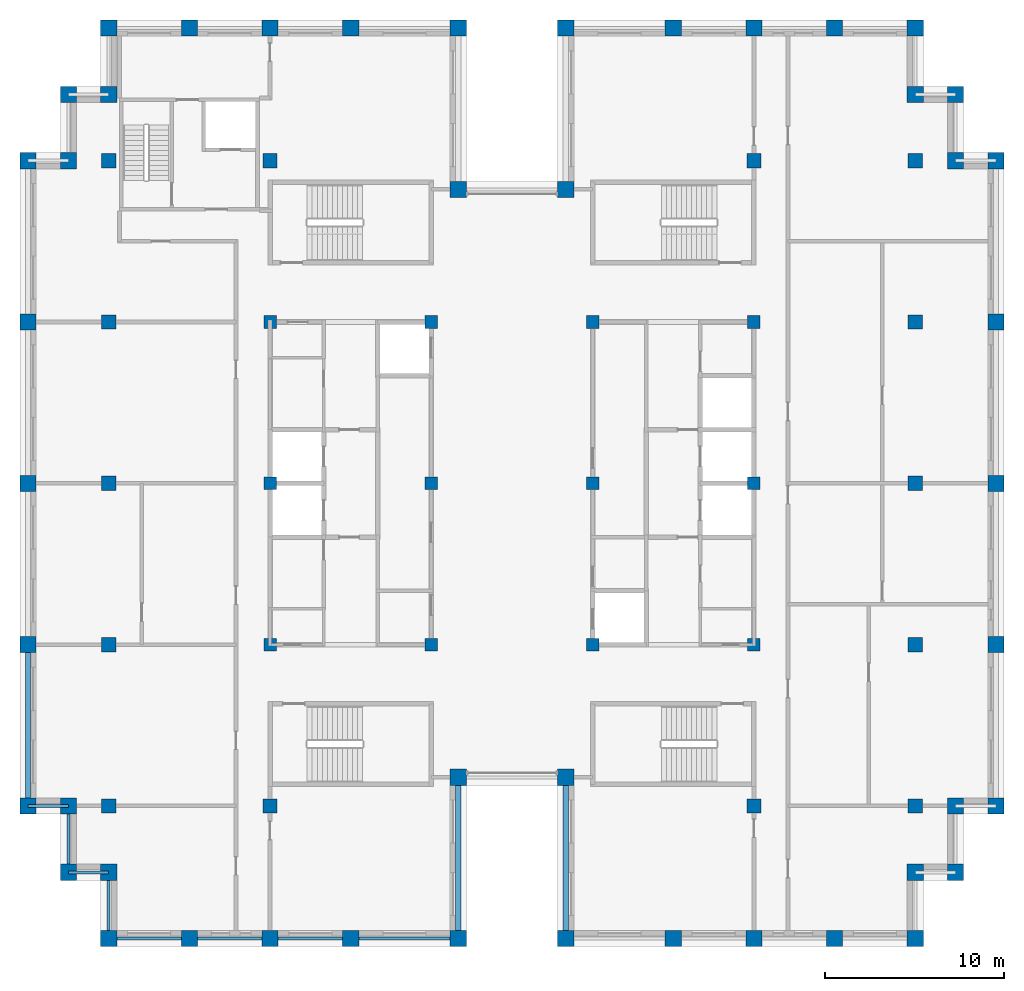
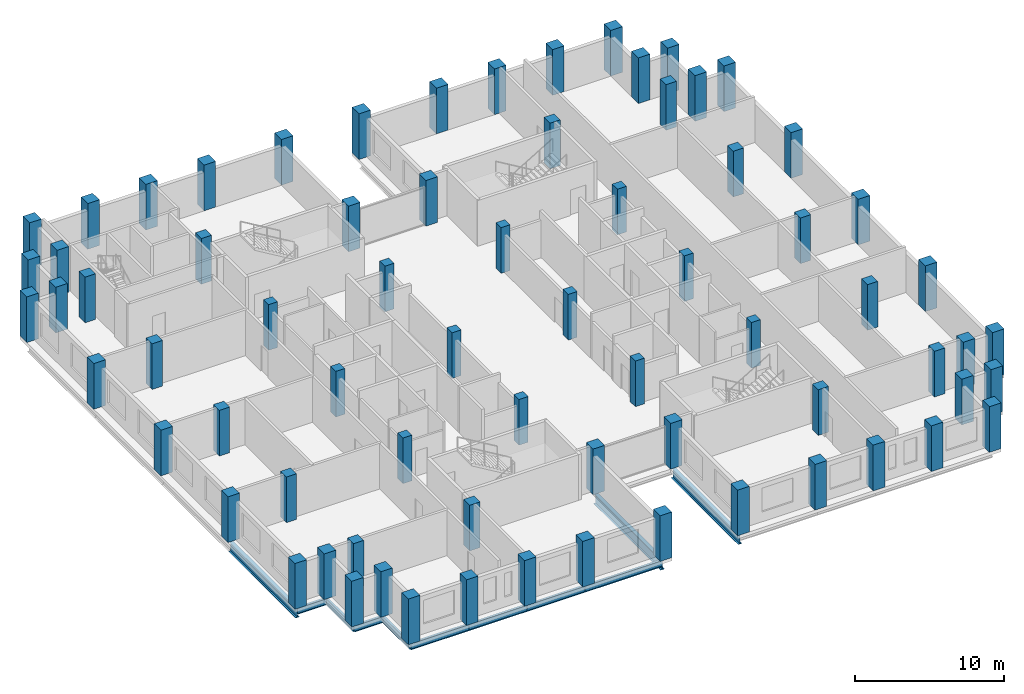
# One storey, part 1 of 13: 72 columns, 11 beams.
"""IFC4 building model written with IfcOpenShell, lengths in metres."""

from ifc_helpers import new_model, si_unit, direction, frame, origin, origin_2d, place, context, subcontext, project, spatial, rectangle, i_section, extrude, material, material_profile, profile_set, type_object, element, save


model = new_model("IFC4")

# Units and contexts
model_context = context("Model", 3, precision=1e-05, world=origin(), true_north=direction((0.0, 1.0)))
body_context = subcontext(model_context, "Body", "Model", "MODEL_VIEW")
ifc_project = project(units=[si_unit("LENGTHUNIT", "METRE"), si_unit("AREAUNIT", "SQUARE_METRE"), si_unit("VOLUMEUNIT", "CUBIC_METRE"), si_unit("PLANEANGLEUNIT", "RADIAN"), si_unit("MASSUNIT", "GRAM", prefix="KILO")], contexts=[model_context])

# Site, building, storey
site_placement = place(None, origin())
site = spatial("IfcSite", under=ifc_project, at=site_placement, CompositionType="ELEMENT")
building_placement = place(site_placement, origin())
building = spatial("IfcBuilding", under=site, at=building_placement, Name="Corbelhall Arena Tower", CompositionType="ELEMENT")
storey_placement = place(building_placement, frame((0.0, 0.0, 334.0)))
storey = spatial("IfcBuildingStorey", under=building, at=storey_placement, Name="L73", CompositionType="ELEMENT", Elevation=334.0)

# Columns
ifc_material_1 = material(Name="Concrete C80/95", Category="concrete")
ifc_material_profile_1 = material_profile(ifc_material_1, rectangle(XDim=0.699951171875, YDim=0.699951171875, at=origin_2d()))
ifc_profile_set_1 = profile_set([ifc_material_profile_1], Name="Concrete C80/95")
column_type_1 = type_object("IfcColumnType", Name="ST-COL-RC 700x700", PredefinedType="COLUMN", material=ifc_profile_set_1)
for number, where, z_axis, x_axis, name in (
    (1, (4.5, 0.0, 0.0), (0.0, 0.0, 1.0), (1.0, 0.0, 0.0), "Column KE+0450+0000"),
    (2, (4.5, 9.0, 0.0), (0.0, 0.0, 1.0), (1.0, 0.0, 0.0), "Column KE+0450+0900"),
    (3, (4.5, -9.0, 0.0), (0.0, 0.0, 1.0), (1.0, 0.0, 0.0), "Column KE+0450-0900"),
    (4, (13.5, 0.0, 0.0), (0.0, 0.0, 1.0), (1.0, 0.0, 0.0), "Column KE+1350+0000"),
    (5, (13.5, 9.0, 0.0), (0.0, 0.0, 1.0), (1.0, 0.0, 0.0), "Column KE+1350+0900"),
    (6, (13.5, -9.0, 0.0), (0.0, 0.0, 1.0), (1.0, 0.0, 0.0), "Column KE+1350-0900"),
    (7, (-4.5, 0.0, 0.0), (0.0, 0.0, 1.0), (1.0, 0.0, 0.0), "Column KW-0450+0000"),
    (8, (-4.5, 9.0, 0.0), (0.0, 0.0, 1.0), (1.0, 0.0, 0.0), "Column KW-0450+0900"),
    (9, (-4.5, -9.0, 0.0), (0.0, 0.0, 1.0), (1.0, 0.0, 0.0), "Column KW-0450-0900"),
    (10, (-13.5, 0.0, 0.0), (0.0, 0.0, 1.0), (1.0, 0.0, 0.0), "Column KW-1350+0000"),
    (11, (-13.5, 9.0, 0.0), (0.0, 0.0, 1.0), (1.0, 0.0, 0.0), "Column KW-1350+0900"),
    (12, (-13.5, -9.0, 0.0), (0.0, 0.0, 1.0), (1.0, 0.0, 0.0), "Column KW-1350-0900"),
):
    element("IfcColumn", number, at=place(storey_placement, frame(where, z_axis=z_axis, x_axis=x_axis)), inside=storey, type_object=column_type_1, Name=name, PredefinedType="COLUMN", context=body_context, shape_type="SweptSolid", body=[
        extrude(rectangle(XDim=0.699951171875, YDim=0.699951171875, at=origin_2d()), origin(), (0.0, 0.0, 1.0), 3.739990234375),
    ])
ifc_material_profile_2 = material_profile(ifc_material_1, rectangle(XDim=0.800048828125, YDim=0.800048828125, at=origin_2d()))
ifc_profile_set_2 = profile_set([ifc_material_profile_2], Name="Concrete C80/95")
column_type_2 = type_object("IfcColumnType", Name="ST-COL-RC 800x800", PredefinedType="COLUMN", material=ifc_profile_set_2)
for number, where, z_axis, x_axis, name in (
    (13, (13.5, 18.0, 0.0), (0.0, 0.0, 1.0), (1.0, 0.0, 0.0), "Column IE13+1800"),
    (14, (13.5, -18.0, 0.0), (0.0, 0.0, 1.0), (1.0, 0.0, 0.0), "Column IE13-1800"),
    (15, (22.5, 0.0, 0.0), (0.0, 0.0, 1.0), (1.0, 0.0, 0.0), "Column IE22+0000"),
    (16, (22.5, 9.0, 0.0), (0.0, 0.0, 1.0), (1.0, 0.0, 0.0), "Column IE22+0900"),
    (17, (22.5, 18.0, 0.0), (0.0, 0.0, 1.0), (1.0, 0.0, 0.0), "Column IE22+1800"),
    (18, (22.5, -9.0, 0.0), (0.0, 0.0, 1.0), (1.0, 0.0, 0.0), "Column IE22-0900"),
    (19, (22.5, -18.0, 0.0), (0.0, 0.0, 1.0), (1.0, 0.0, 0.0), "Column IE22-1800"),
    (20, (-13.5, 18.0, 0.0), (0.0, 0.0, 1.0), (1.0, 0.0, 0.0), "Column IW13+1800"),
    (21, (-13.5, -18.0, 0.0), (0.0, 0.0, 1.0), (1.0, 0.0, 0.0), "Column IW13-1800"),
    (22, (-22.5, 0.0, 0.0), (0.0, 0.0, 1.0), (1.0, 0.0, 0.0), "Column IW22+0000"),
    (23, (-22.5, 9.0, 0.0), (0.0, 0.0, 1.0), (1.0, 0.0, 0.0), "Column IW22+0900"),
    (24, (-22.5, 18.0, 0.0), (0.0, 0.0, 1.0), (1.0, 0.0, 0.0), "Column IW22+1800"),
    (25, (-22.5, -9.0, 0.0), (0.0, 0.0, 1.0), (1.0, 0.0, 0.0), "Column IW22-0900"),
    (26, (-22.5, -18.0, 0.0), (0.0, 0.0, 1.0), (1.0, 0.0, 0.0), "Column IW22-1800"),
):
    element("IfcColumn", number, at=place(storey_placement, frame(where, z_axis=z_axis, x_axis=x_axis)), inside=storey, type_object=column_type_2, Name=name, PredefinedType="COLUMN", context=body_context, shape_type="SweptSolid", body=[
        extrude(rectangle(XDim=0.800048828125, YDim=0.800048828125, at=origin_2d()), origin(), (0.0, 0.0, 1.0), 3.739990234375),
    ])
ifc_material_profile_3 = material_profile(ifc_material_1, rectangle(XDim=0.89990234375, YDim=0.89990234375, at=origin_2d()))
ifc_profile_set_3 = profile_set([ifc_material_profile_3], Name="Concrete C80/95")
column_type_3 = type_object("IfcColumnType", Name="ST-COL-RC 900x900", PredefinedType="COLUMN", material=ifc_profile_set_3)
for number, where, z_axis, x_axis, name in (
    (27, (27.0, 0.0, 0.0), (0.0, 0.0, 1.0), (0.0, 1.0, 0.0), "Column PE+0000"),
    (28, (27.0, 9.0, 0.0), (0.0, 0.0, 1.0), (0.0, 1.0, 0.0), "Column PE+0900"),
    (29, (27.0, 18.0, 0.0), (0.0, 0.0, 1.0), (0.0, 1.0, 0.0), "Column PE+1800"),
    (30, (27.0, -9.0, 0.0), (0.0, 0.0, 1.0), (0.0, 1.0, 0.0), "Column PE-0900"),
    (31, (27.0, -18.0, 0.0), (0.0, 0.0, 1.0), (0.0, 1.0, 0.0), "Column PE-1800"),
    (32, (3.0, 25.39990234375, 0.0), (0.0, 0.0, 1.0), (1.0, 0.0, 0.0), "Column PNE0300"),
    (33, (9.0, 25.39990234375, 0.0), (0.0, 0.0, 1.0), (1.0, 0.0, 0.0), "Column PNE0900"),
    (34, (13.5, 25.39990234375, 0.0), (0.0, 0.0, 1.0), (1.0, 0.0, 0.0), "Column PNE1350"),
    (35, (18.0, 25.39990234375, 0.0), (0.0, 0.0, 1.0), (1.0, 0.0, 0.0), "Column PNE1800"),
    (36, (22.5, 25.39990234375, 0.0), (0.0, 0.0, 1.0), (1.0, 0.0, 0.0), "Column PNE2250"),
    (37, (-3.0, 25.39990234375, 0.0), (0.0, 0.0, 1.0), (1.0, 0.0, 0.0), "Column PNW0300"),
    (38, (-9.0, 25.39990234375, 0.0), (0.0, 0.0, 1.0), (1.0, 0.0, 0.0), "Column PNW0900"),
    (39, (-13.5, 25.39990234375, 0.0), (0.0, 0.0, 1.0), (1.0, 0.0, 0.0), "Column PNW1350"),
    (40, (-18.0, 25.39990234375, 0.0), (0.0, 0.0, 1.0), (1.0, 0.0, 0.0), "Column PNW1800"),
    (41, (-22.5, 25.39990234375, 0.0), (0.0, 0.0, 1.0), (1.0, 0.0, 0.0), "Column PNW2250"),
    (42, (3.0, -25.39990234375, 0.0), (0.0, 0.0, 1.0), (1.0, 0.0, 0.0), "Column PSE0300"),
    (43, (9.0, -25.39990234375, 0.0), (0.0, 0.0, 1.0), (1.0, 0.0, 0.0), "Column PSE0900"),
    (44, (13.5, -25.39990234375, 0.0), (0.0, 0.0, 1.0), (1.0, 0.0, 0.0), "Column PSE1350"),
    (45, (18.0, -25.39990234375, 0.0), (0.0, 0.0, 1.0), (1.0, 0.0, 0.0), "Column PSE1800"),
    (46, (22.5, -25.39990234375, 0.0), (0.0, 0.0, 1.0), (1.0, 0.0, 0.0), "Column PSE2250"),
    (47, (-3.0, -25.39990234375, 0.0), (0.0, 0.0, 1.0), (1.0, 0.0, 0.0), "Column PSW0300"),
    (48, (-9.0, -25.39990234375, 0.0), (0.0, 0.0, 1.0), (1.0, 0.0, 0.0), "Column PSW0900"),
    (49, (-13.5, -25.39990234375, 0.0), (0.0, 0.0, 1.0), (1.0, 0.0, 0.0), "Column PSW1350"),
    (50, (-18.0, -25.39990234375, 0.0), (0.0, 0.0, 1.0), (1.0, 0.0, 0.0), "Column PSW1800"),
    (51, (-22.5, -25.39990234375, 0.0), (0.0, 0.0, 1.0), (1.0, 0.0, 0.0), "Column PSW2250"),
    (52, (-27.0, 0.0, 0.0), (0.0, 0.0, 1.0), (0.0, 1.0, 0.0), "Column PW+0000"),
    (53, (-27.0, 9.0, 0.0), (0.0, 0.0, 1.0), (0.0, 1.0, 0.0), "Column PW+0900"),
    (54, (-27.0, 18.0, 0.0), (0.0, 0.0, 1.0), (0.0, 1.0, 0.0), "Column PW+1800"),
    (55, (-27.0, -9.0, 0.0), (0.0, 0.0, 1.0), (0.0, 1.0, 0.0), "Column PW-0900"),
    (56, (-27.0, -18.0, 0.0), (0.0, 0.0, 1.0), (0.0, 1.0, 0.0), "Column PW-1800"),
    (57, (3.0, 16.39990234375, 0.0), (0.0, 0.0, 1.0), (1.0, 0.0, 0.0), "Column SLNE2"),
    (58, (-3.0, 16.39990234375, 0.0), (0.0, 0.0, 1.0), (1.0, 0.0, 0.0), "Column SLNW2"),
    (59, (3.0, -16.39990234375, 0.0), (0.0, 0.0, 1.0), (1.0, 0.0, 0.0), "Column SLSE2"),
    (60, (-3.0, -16.39990234375, 0.0), (0.0, 0.0, 1.0), (1.0, 0.0, 0.0), "Column SLSW2"),
    (61, (22.5, 21.699951171875, 0.0), (0.0, 0.0, 1.0), (1.0, 0.0, 0.0), "Column XNE1"),
    (62, (24.75, 21.699951171875, 0.0), (0.0, 0.0, 1.0), (1.0, 0.0, 0.0), "Column XNE2"),
    (63, (24.75, 18.0, 0.0), (0.0, 0.0, 1.0), (1.0, 0.0, 0.0), "Column XNE3"),
    (64, (-22.5, 21.699951171875, 0.0), (0.0, 0.0, 1.0), (1.0, 0.0, 0.0), "Column XNW1"),
    (65, (-24.75, 21.699951171875, 0.0), (0.0, 0.0, 1.0), (1.0, 0.0, 0.0), "Column XNW2"),
    (66, (-24.75, 18.0, 0.0), (0.0, 0.0, 1.0), (1.0, 0.0, 0.0), "Column XNW3"),
    (67, (22.5, -21.699951171875, 0.0), (0.0, 0.0, 1.0), (1.0, 0.0, 0.0), "Column XSE1"),
    (68, (24.75, -21.699951171875, 0.0), (0.0, 0.0, 1.0), (1.0, 0.0, 0.0), "Column XSE2"),
    (69, (24.75, -18.0, 0.0), (0.0, 0.0, 1.0), (1.0, 0.0, 0.0), "Column XSE3"),
    (70, (-22.5, -21.699951171875, 0.0), (0.0, 0.0, 1.0), (1.0, 0.0, 0.0), "Column XSW1"),
    (71, (-24.75, -21.699951171875, 0.0), (0.0, 0.0, 1.0), (1.0, 0.0, 0.0), "Column XSW2"),
    (72, (-24.75, -18.0, 0.0), (0.0, 0.0, 1.0), (1.0, 0.0, 0.0), "Column XSW3"),
):
    element("IfcColumn", number, at=place(storey_placement, frame(where, z_axis=z_axis, x_axis=x_axis)), inside=storey, type_object=column_type_3, Name=name, PredefinedType="COLUMN", context=body_context, shape_type="SweptSolid", body=[
        extrude(rectangle(XDim=0.89990234375, YDim=0.89990234375, at=origin_2d()), origin(), (0.0, 0.0, 1.0), 3.739990234375),
    ])

# Beams
ifc_material_2 = material(Name="Steel ASTM A992 Gr50", Category="steel")
ifc_material_profile_4 = material_profile(ifc_material_2, i_section(OverallWidth=0.16650390625, OverallDepth=0.535888671875, WebThickness=0.01025390625, FlangeThickness=0.0166015625, at=origin_2d()))
ifc_profile_set_4 = profile_set([ifc_material_profile_4], Name="Steel ASTM A992 Gr50")
beam_type_1 = type_object("IfcBeamType", Name="ST-SPANDREL-W21x57", PredefinedType="SPANDREL", material=ifc_profile_set_4)
beam_1_placement = place(storey_placement, frame((-3.0, -25.39990234375, -0.528076171875), z_axis=(-1.0, 0.0, 0.0), x_axis=(0.0, -1.0, 0.0)))
element("IfcBeam", 73, at=beam_1_placement, inside=storey, type_object=beam_type_1, Name="Beam SP 21", PredefinedType="SPANDREL", context=body_context, shape_type="SweptSolid", body=[
    extrude(i_section(OverallWidth=0.16650390625, OverallDepth=0.535888671875, WebThickness=0.01025390625, FlangeThickness=0.0166015625, at=origin_2d()), origin(), (0.0, 0.0, 1.0), 6.0),
])
for number, where, z_axis, x_axis, name in (
    (74, (-9.0, -25.39990234375, -0.528076171875), (-1.0, 0.0, 0.0), (0.0, -1.0, 0.0), "Beam SP 22"),
    (75, (-13.5, -25.39990234375, -0.528076171875), (-1.0, 0.0, 0.0), (0.0, -1.0, 0.0), "Beam SP 23"),
    (76, (-18.0, -25.39990234375, -0.528076171875), (-1.0, 0.0, 0.0), (0.0, -1.0, 0.0), "Beam SP 24"),
):
    element("IfcBeam", number, at=place(storey_placement, frame(where, z_axis=z_axis, x_axis=x_axis)), inside=storey, type_object=beam_type_1, Name=name, PredefinedType="SPANDREL", context=body_context, shape_type="SweptSolid", body=[
        extrude(i_section(OverallWidth=0.16650390625, OverallDepth=0.535888671875, WebThickness=0.01025390625, FlangeThickness=0.0166015625, at=origin_2d()), origin(), (0.0, 0.0, 1.0), 4.5),
    ])
beam_2_placement = place(storey_placement, frame((-22.5, -25.39990234375, -0.528076171875), z_axis=(0.0, 1.0, 0.0), x_axis=(-1.0, 0.0, 0.0)))
element("IfcBeam", 77, at=beam_2_placement, inside=storey, type_object=beam_type_1, Name="Beam SP 25", PredefinedType="SPANDREL", context=body_context, shape_type="SweptSolid", body=[
    extrude(i_section(OverallWidth=0.16650390625, OverallDepth=0.535888671875, WebThickness=0.01025390625, FlangeThickness=0.0166015625, at=origin_2d()), origin(), (0.0, 0.0, 1.0), 3.699951171875),
])
beam_3_placement = place(storey_placement, frame((-22.5, -21.699951171875, -0.528076171875), z_axis=(-1.0, 0.0, 0.0), x_axis=(0.0, -1.0, 0.0)))
element("IfcBeam", 78, at=beam_3_placement, inside=storey, type_object=beam_type_1, Name="Beam SP 44", PredefinedType="SPANDREL", context=body_context, shape_type="SweptSolid", body=[
    extrude(i_section(OverallWidth=0.16650390625, OverallDepth=0.535888671875, WebThickness=0.01025390625, FlangeThickness=0.0166015625, at=origin_2d()), origin(), (0.0, 0.0, 1.0), 2.25),
])
beam_4_placement = place(storey_placement, frame((-24.75, -21.699951171875, -0.528076171875), z_axis=(0.0, 1.0, 0.0), x_axis=(-1.0, 0.0, 0.0)))
element("IfcBeam", 79, at=beam_4_placement, inside=storey, type_object=beam_type_1, Name="Beam SP 45", PredefinedType="SPANDREL", context=body_context, shape_type="SweptSolid", body=[
    extrude(i_section(OverallWidth=0.16650390625, OverallDepth=0.535888671875, WebThickness=0.01025390625, FlangeThickness=0.0166015625, at=origin_2d()), origin(), (0.0, 0.0, 1.0), 3.699951171875),
])
beam_5_placement = place(storey_placement, frame((-24.75, -18.0, -0.528076171875), z_axis=(-1.0, 0.0, 0.0), x_axis=(0.0, -1.0, 0.0)))
element("IfcBeam", 80, at=beam_5_placement, inside=storey, type_object=beam_type_1, Name="Beam SP 46", PredefinedType="SPANDREL", context=body_context, shape_type="SweptSolid", body=[
    extrude(i_section(OverallWidth=0.16650390625, OverallDepth=0.535888671875, WebThickness=0.01025390625, FlangeThickness=0.0166015625, at=origin_2d()), origin(), (0.0, 0.0, 1.0), 2.25),
])
ifc_material_profile_5 = material_profile(ifc_material_2, i_section(OverallWidth=0.2919921875, OverallDepth=0.845703125, WebThickness=0.015380859375, FlangeThickness=0.0244140625, at=origin_2d()))
ifc_profile_set_5 = profile_set([ifc_material_profile_5], Name="Steel ASTM A992 Gr50")
beam_type_2 = type_object("IfcBeamType", Name="ST-SPANDREL-W33x141", PredefinedType="SPANDREL", material=ifc_profile_set_5)
for number, where, z_axis, x_axis, name in (
    (81, (3.0, -25.39990234375, -0.682861328125), (0.0, 1.0, 0.0), (-1.0, 0.0, 0.0), "Beam SP 16"),
    (82, (-27.0, -18.0, -0.682861328125), (0.0, 1.0, 0.0), (-1.0, 0.0, 0.0), "Beam SP 30"),
    (83, (-3.0, -16.39990234375, -0.682861328125), (0.0, -1.0, 0.0), (1.0, 0.0, 0.0), "Beam SP 34"),
):
    element("IfcBeam", number, at=place(storey_placement, frame(where, z_axis=z_axis, x_axis=x_axis)), inside=storey, type_object=beam_type_2, Name=name, PredefinedType="SPANDREL", context=body_context, shape_type="SweptSolid", body=[
        extrude(i_section(OverallWidth=0.2919921875, OverallDepth=0.845703125, WebThickness=0.015380859375, FlangeThickness=0.0244140625, at=origin_2d()), origin(), (0.0, 0.0, 1.0), 9.0),
    ])

save(model, "model.ifc")
